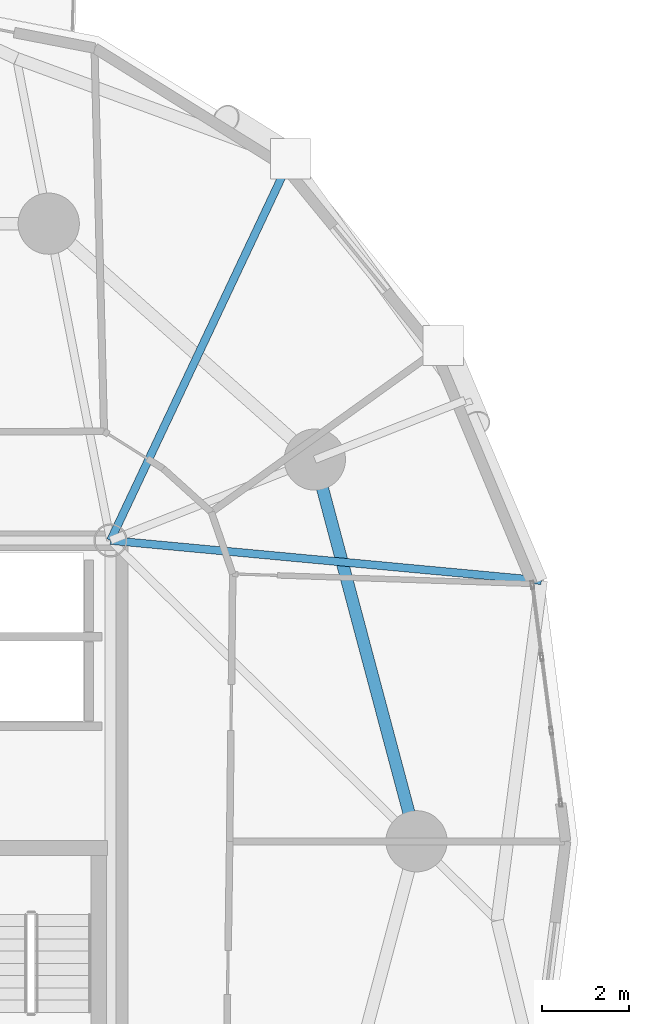
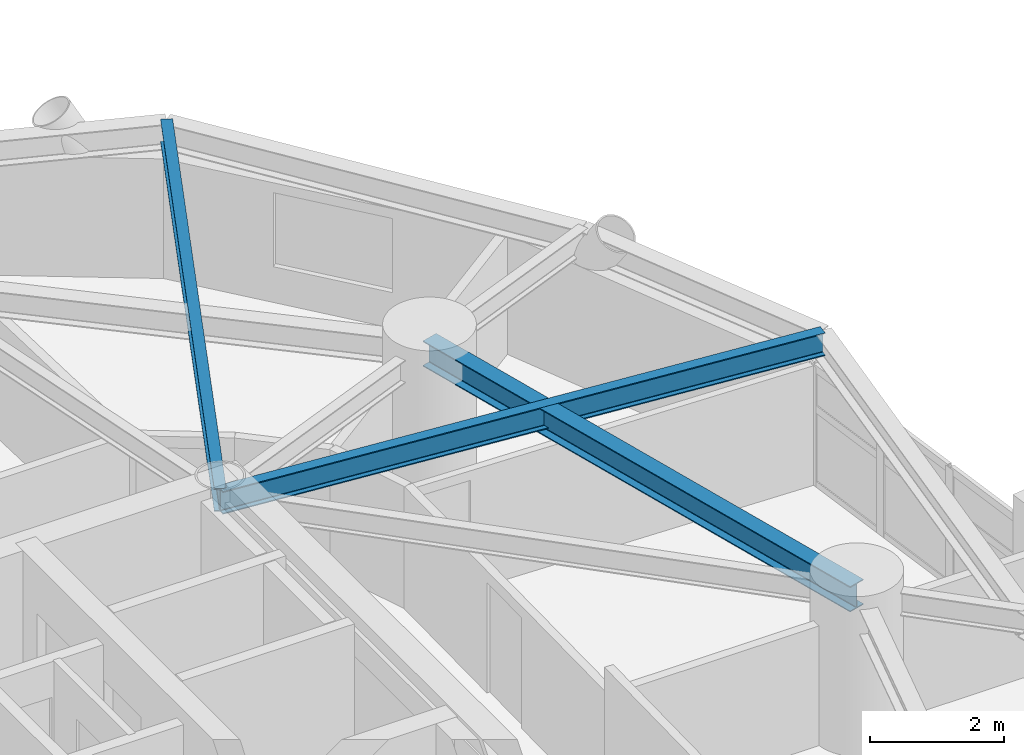
# One storey, part 3 of 19: 3 beams.
"""IFC4 building model written with IfcOpenShell, lengths in metres."""

from ifc_helpers import new_model, si_unit, direction, frame, origin, origin_2d, place, context, subcontext, project, spatial, i_section, extrude, material, material_profile, profile_set, type_object, element, save


model = new_model("IFC4")

# Units and contexts
model_context = context("Model", 3, precision=1e-05, world=origin(), true_north=direction((0.0, 1.0)))
body_context = subcontext(model_context, "Body", "Model", "MODEL_VIEW")
ifc_project = project(units=[si_unit("LENGTHUNIT", "METRE"), si_unit("AREAUNIT", "SQUARE_METRE"), si_unit("VOLUMEUNIT", "CUBIC_METRE"), si_unit("PLANEANGLEUNIT", "RADIAN"), si_unit("MASSUNIT", "GRAM", prefix="KILO")], contexts=[model_context])

# Site, building, storey
site_placement = place(None, origin())
site = spatial("IfcSite", under=ifc_project, at=site_placement, CompositionType="ELEMENT")
building_placement = place(site_placement, origin())
building = spatial("IfcBuilding", under=site, at=building_placement, Name="Cununo Teusaquillo Station Towers", CompositionType="ELEMENT")
storey_placement = place(building_placement, frame((0.0, 0.0, 84.699951171875)))
storey = spatial("IfcBuildingStorey", under=building, at=storey_placement, Name="L26", CompositionType="ELEMENT", Elevation=84.699951171875)

# Beams
ifc_material_1 = material(Name="Steel ASTM A572 Grade 50", Category="steel")
ifc_material_profile_1 = material_profile(ifc_material_1, i_section(OverallWidth=0.180908203125, OverallDepth=0.4169921875, WebThickness=0.010986328125, FlangeThickness=0.018310546875, FilletRadius=0.012939453125, at=origin_2d()), Name="W16X57")
ifc_profile_set_1 = profile_set([ifc_material_profile_1], Name="Steel ASTM A572 Grade 50")
beam_type_1 = type_object("IfcBeamType", Name="BM-JOIST-1", PredefinedType="JOIST", material=ifc_profile_set_1)
beam_1_placement = place(storey_placement, frame((21.675048828125, 31.3798828125, 2.461669921875), z_axis=(0.995678537907, -0.09286683558, 0.0), x_axis=(0.09286683558, 0.995678537907, 0.0)))
element("IfcBeam", 1, at=beam_1_placement, inside=storey, type_object=beam_type_1, Name="L26 Tower A Radial Spandrel Joist V01", PredefinedType="JOIST", context=body_context, shape_type="SweptSolid", body=[
    extrude(i_section(OverallWidth=0.180908203125, OverallDepth=0.4169921875, WebThickness=0.010986328125, FlangeThickness=0.018310546875, FilletRadius=0.012939453125, at=origin_2d()), origin(), (0.0, 0.0, 1.0), 9.895263671875),
])
beam_2_placement = place(storey_placement, frame((21.675048828125, 31.3798828125, 2.461669921875), z_axis=(0.426319838016, 0.904572493344, 0.0), x_axis=(-0.904572493344, 0.426319838016, 0.0)))
element("IfcBeam", 2, at=beam_2_placement, inside=storey, type_object=beam_type_1, Name="L26 Tower A Radial Spandrel Joist V03", PredefinedType="JOIST", context=body_context, shape_type="SweptSolid", body=[
    extrude(i_section(OverallWidth=0.180908203125, OverallDepth=0.4169921875, WebThickness=0.010986328125, FlangeThickness=0.018310546875, FilletRadius=0.012939453125, at=origin_2d()), origin(), (0.0, 0.0, 1.0), 9.646728515625),
])
ifc_material_2 = material(Name="Steel ASTM A572 Grade 50", Category="steel")
ifc_material_profile_2 = material_profile(ifc_material_2, i_section(OverallWidth=0.280029296875, OverallDepth=0.462890625, WebThickness=0.0107421875, FlangeThickness=0.017333984375, FilletRadius=0.013916015625, at=origin_2d()), Name="W18X76")
ifc_profile_set_2 = profile_set([ifc_material_profile_2], Name="Steel ASTM A572 Grade 50")
beam_type_2 = type_object("IfcBeamType", Name="BM-RING-Z2", PredefinedType="SPANDREL", material=ifc_profile_set_2)
beam_3_placement = place(storey_placement, frame((28.672119140625, 24.5, 2.4384765625), z_axis=(-0.257363196347, 0.966314744359, 0.0), x_axis=(-0.966314744359, -0.257363196347, 0.0)))
element("IfcBeam", 3, at=beam_3_placement, inside=storey, type_object=beam_type_2, Name="L26 Tower A Structural Column Ring Girder 01", PredefinedType="SPANDREL", context=body_context, shape_type="SweptSolid", body=[
    extrude(i_section(OverallWidth=0.280029296875, OverallDepth=0.462890625, WebThickness=0.0107421875, FlangeThickness=0.017333984375, FilletRadius=0.013916015625, at=origin_2d()), origin(), (0.0, 0.0, 1.0), 9.03271484375),
])

save(model, "model.ifc")
